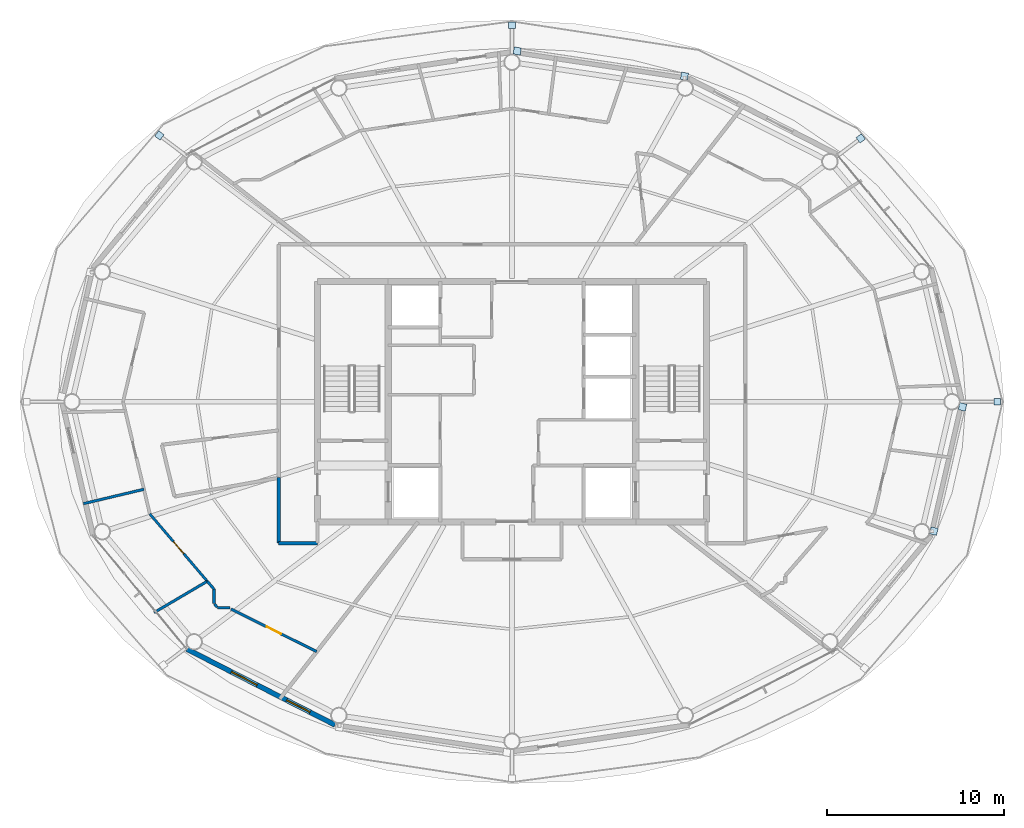
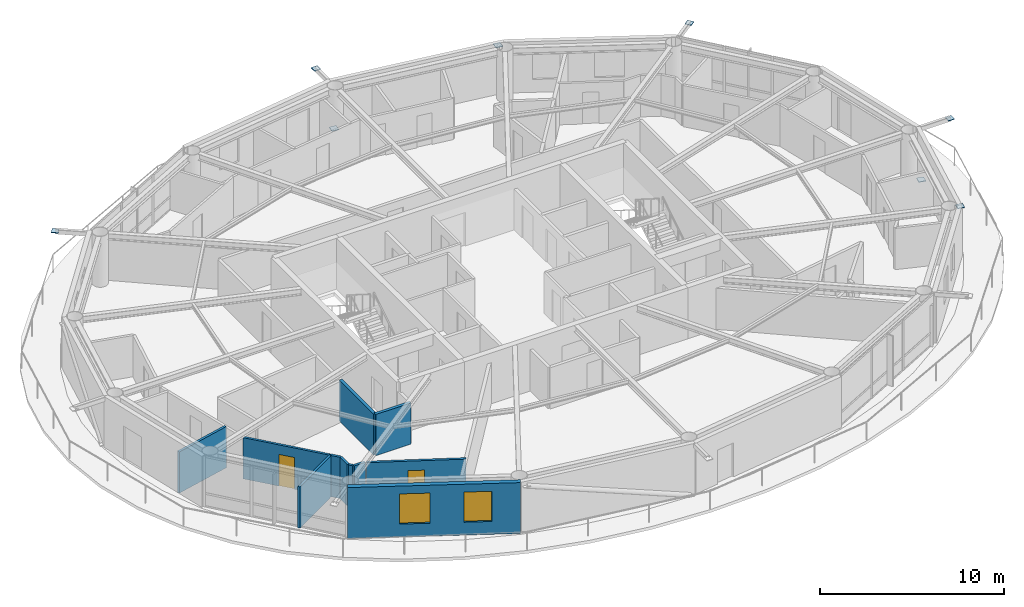
# One storey, part 15 of 22: 11 walls, 8 plates, 2 doors, 2 windows, 4 openings.
"""IFC4 building model written with IfcOpenShell, lengths in metres."""

from ifc_helpers import new_model, si_unit, direction, frame, frame_2d, origin, origin_2d, place, context, subcontext, project, spatial, rectangle, extrude, material, layer, layer_set, type_object, element, fill, save


model = new_model("IFC4")

# Units and contexts
model_context = context("Model", 3, precision=1e-05, world=origin(), true_north=direction((0.0, 1.0)))
body_context = subcontext(model_context, "Body", "Model", "MODEL_VIEW")
ifc_project = project(units=[si_unit("LENGTHUNIT", "METRE"), si_unit("AREAUNIT", "SQUARE_METRE"), si_unit("VOLUMEUNIT", "CUBIC_METRE"), si_unit("PLANEANGLEUNIT", "RADIAN"), si_unit("MASSUNIT", "GRAM", prefix="KILO")], contexts=[model_context])

# Site, building, storey
site_placement = place(None, origin())
site = spatial("IfcSite", under=ifc_project, at=site_placement, CompositionType="ELEMENT")
building_placement = place(site_placement, origin())
building = spatial("IfcBuilding", under=site, at=building_placement, Name="Sarneth Arch Tower", CompositionType="ELEMENT")
storey_placement = place(building_placement, frame((0.0, 0.0, 305.39990234375)))
storey = spatial("IfcBuildingStorey", under=building, at=storey_placement, Name="L79", CompositionType="ELEMENT", Elevation=305.39990234375)

# Plates
ifc_material_1 = material(Name="Steel S355", Category="steel")
ifc_layer_1 = layer(ifc_material_1, 0.035888671875)
ifc_layer_set_1 = layer_set([ifc_layer_1], Name="Steel S355")
plate_type = type_object("IfcPlateType", Name="PLT-GUSSET-30", PredefinedType="SHEET", material=ifc_layer_set_1)
for number, where, z_axis, x_axis, name in (
    (1, (75.4462890625, 42.0, 3.1923828125), (0.0, 0.0, 1.0), (1.0, 0.0, 0.0), "Steel end cap plate GP-1"),
    (2, (67.720703125, 56.894775390625, 3.1923828125), (0.0, 0.0, 1.0), (0.798004853043, 0.602651022168, 0.0), "Steel end cap plate GP-1"),
):
    element("IfcPlate", number, at=place(storey_placement, frame(where, z_axis=z_axis, x_axis=x_axis)), inside=storey, type_object=plate_type, Name=name, PredefinedType="SHEET", context=body_context, shape_type="SweptSolid", body=[
        extrude(rectangle(XDim=0.3798828125, YDim=0.3798828125, at=origin_2d()), origin(), (0.0, 0.0, 1.0), 0.035888671875),
    ])
for number, where, z_axis, x_axis, name in (
    (3, (48.296630859375, 61.83544921875, 0.001953125), (0.0, 0.0, 1.0), (-0.988860535448, 0.148845024885, 0.0), "Steel end cap plate GP-1"),
    (4, (57.754150390625, 60.411376953125, 3.07421875), (0.0, 0.0, 1.0), (-0.988860535448, 0.148845024885, 0.0), "Steel end cap plate GP-1"),
):
    element("IfcPlate", number, at=place(storey_placement, frame(where, z_axis=z_axis, x_axis=x_axis)), inside=storey, type_object=plate_type, Name=name, PredefinedType="SHEET", context=body_context, shape_type="SweptSolid", body=[
        extrude(rectangle(XDim=0.404052734375, YDim=0.404052734375, at=origin_2d()), origin(), (0.0, 0.0, 1.0), 0.035888671875),
    ])
for number, where, z_axis, x_axis, name in (
    (5, (48.0, 63.286865234375, 3.1923828125), (0.0, 0.0, 1.0), (0.0, 1.0, 0.0), "Steel end cap plate GP-1"),
    (6, (28.059814453125, 57.060546875, 3.1923828125), (0.0, 0.0, 1.0), (-0.798004853043, 0.602651022168, 0.0), "Steel end cap plate GP-1"),
):
    element("IfcPlate", number, at=place(storey_placement, frame(where, z_axis=z_axis, x_axis=x_axis)), inside=storey, type_object=plate_type, Name=name, PredefinedType="SHEET", context=body_context, shape_type="SweptSolid", body=[
        extrude(rectangle(XDim=0.3798828125, YDim=0.3798828125, at=origin_2d()), origin(), (0.0, 0.0, 1.0), 0.035888671875),
    ])
for number, where, z_axis, x_axis, name in (
    (7, (73.4765625, 41.707763671875, 0.001953125), (0.0, 0.0, 1.0), (0.225461202458, 0.974252147129, 0.0), "Steel end cap plate GP-1"),
    (8, (71.851806640625, 34.6845703125, 3.07421875), (0.0, 0.0, 1.0), (0.225461202458, 0.974252147129, 0.0), "Steel end cap plate GP-1"),
):
    element("IfcPlate", number, at=place(storey_placement, frame(where, z_axis=z_axis, x_axis=x_axis)), inside=storey, type_object=plate_type, Name=name, PredefinedType="SHEET", context=body_context, shape_type="SweptSolid", body=[
        extrude(rectangle(XDim=0.404052734375, YDim=0.404052734375, at=origin_2d()), origin(), (0.0, 0.0, 1.0), 0.035888671875),
    ])

# Walls
ifc_material_2 = material(Name="Double steel-stud corridor fire wall", Category="steel")
ifc_layer_2 = layer(ifc_material_2, 0.18994140625)
ifc_layer_set_2 = layer_set([ifc_layer_2], Name="Double steel-stud corridor fire wall")
wall_type_1 = type_object("IfcWallType", Name="WALL-CORR-190", PredefinedType="PARTITIONING", material=ifc_layer_set_2)
wall_1_placement = place(storey_placement, frame((34.800048828125, 34.0, 0.0), z_axis=(0.0, 0.0, 1.0), x_axis=(0.0, 1.0, 0.0)))
element("IfcWall", 9, at=wall_1_placement, inside=storey, type_object=wall_type_1, Name="L79 Interior partition W-L79-TP-004", PredefinedType="PARTITIONING", context=body_context, shape_type="SweptSolid", body=[
    extrude(rectangle(XDim=3.728271484375, YDim=0.18994140625, at=frame_2d((1.8642578125, 0.0))), origin(), (0.0, 0.0, 1.0), 2.72998046875),
])
wall_2_placement = place(storey_placement, frame((37.0, 34.0, 0.0), z_axis=(0.0, 0.0, 1.0), x_axis=(-1.0, 0.0, 0.0)))
element("IfcWall", 10, at=wall_2_placement, inside=storey, type_object=wall_type_1, Name="L79 Interior partition W-L79-TP-003", PredefinedType="PARTITIONING", context=body_context, shape_type="SweptSolid", body=[
    extrude(rectangle(XDim=2.199951171875, YDim=0.18994140625, at=frame_2d((1.10009765625, 0.0))), origin(), (0.0, 0.0, 1.0), 2.72998046875),
])

# Wall, openings, windows
ifc_material_3 = material(Name="Extruded terracotta rainscreen on Concrete C40/50 backing", Category="masonry")
ifc_layer_3 = layer(ifc_material_3, 0.280029296875)
ifc_layer_set_3 = layer_set([ifc_layer_3], Name="Extruded terracotta rainscreen on Concrete C40/50 backing")
wall_type_2 = type_object("IfcWallType", Name="WALL-EXT-TERRA-280", PredefinedType="SOLIDWALL", material=ifc_layer_set_3)
wall_3_placement = place(storey_placement, frame((29.617431640625, 28.013427734375, 0.0), z_axis=(0.0, 0.0, 1.0), x_axis=(0.890007394051, -0.455946091699, 0.0)))
wall_3 = element("IfcWall", 11, at=wall_3_placement, inside=storey, type_object=wall_type_2, Name="L79 Terracotta perimeter wall 11", PredefinedType="SOLIDWALL", context=body_context, shape_type="SweptSolid", body=[
    extrude(rectangle(XDim=9.404296875, YDim=0.280029296875, at=frame_2d((4.7021484375, 0.0))), origin(), (0.0, 0.0, 1.0), 3.3701171875),
])
opening_1_placement = place(wall_3_placement, frame((2.8173828125, 0.0, 0.85009765625)))
opening_1 = element("IfcOpeningElement", 12, at=opening_1_placement, cuts=wall_3, Name="Opening W-05", PredefinedType="OPENING", context=body_context, shape_type="SweptSolid", body=[
    extrude(rectangle(XDim=1.64990234375, YDim=2.0, at=frame_2d((0.824951171875, 1.0))), frame((0.0, 0.14990234375, 0.0), z_axis=(0.0, -1.0, 0.0), x_axis=(1.0, 0.0, 0.0)), (0.0, 0.0, 1.0), 0.300048828125),
])
opening_2_placement = place(wall_3_placement, frame((6.333251953125, 0.0, 0.85009765625)))
opening_2 = element("IfcOpeningElement", 13, at=opening_2_placement, cuts=wall_3, Name="Opening W-06", PredefinedType="OPENING", context=body_context, shape_type="SweptSolid", body=[
    extrude(rectangle(XDim=1.5, YDim=2.0, at=frame_2d((0.75, 1.0))), frame((0.0, 0.14990234375, 0.0), z_axis=(0.0, -1.0, 0.0), x_axis=(1.0, 0.0, 0.0)), (0.0, 0.0, 1.0), 0.300048828125),
])
ifc_material_4 = material(Name="Thermally broken Aluminium 6063-T6 and low-e laminated IGU", Category="aluminium")
window_type_1 = type_object("IfcWindowType", Name="WIN-TWR-1500x2000", PartitioningType="SINGLE_PANEL", PredefinedType="WINDOW", material=ifc_material_4)
window_1_placement = place(opening_2_placement, origin())
window_1 = element("IfcWindow", 14, at=window_1_placement, inside=storey, type_object=window_type_1, Name="L79 Exterior window 11B", OverallHeight=2.0, OverallWidth=1.5, PartitioningType="SINGLE_PANEL", PredefinedType="WINDOW", context=body_context, shape_type="SweptSolid", body=[
    extrude(rectangle(XDim=1.5, YDim=2.0, at=frame_2d((0.75, 1.0))), frame((0.0, 0.030029296875, 0.0), z_axis=(0.0, -1.0, 0.0), x_axis=(1.0, 0.0, 0.0)), (0.0, 0.0, 1.0), 0.06005859375),
])
fill(opening_2, window_1)
ifc_material_5 = material(Name="Thermally broken Aluminium 6063-T6 and low-e laminated IGU", Category="aluminium")
window_type_2 = type_object("IfcWindowType", Name="WIN-TWR-1650x2000", PartitioningType="DOUBLE_PANEL_VERTICAL", PredefinedType="WINDOW", material=ifc_material_5)
window_2_placement = place(opening_1_placement, origin())
window_2 = element("IfcWindow", 15, at=window_2_placement, inside=storey, type_object=window_type_2, Name="L79 Exterior window 11A", OverallHeight=2.0, OverallWidth=1.64990234375, PartitioningType="SINGLE_PANEL", PredefinedType="WINDOW", context=body_context, shape_type="SweptSolid", body=[
    extrude(rectangle(XDim=1.64990234375, YDim=2.0, at=frame_2d((0.824951171875, 1.0))), frame((0.0, 0.030029296875, 0.0), z_axis=(0.0, -1.0, 0.0), x_axis=(1.0, 0.0, 0.0)), (0.0, 0.0, 1.0), 0.06005859375),
])
fill(opening_1, window_2)

# Wall, opening, door
ifc_material_6 = material(Name="Apartment internal stud partition", Category="gypsum")
ifc_layer_4 = layer(ifc_material_6, 0.139892578125)
ifc_layer_set_4 = layer_set([ifc_layer_4], Name="Apartment internal stud partition")
wall_type_3 = type_object("IfcWallType", Name="WALL-PART-140", PredefinedType="PARTITIONING", material=ifc_layer_set_4)
wall_4_placement = place(storey_placement, frame((27.51904296875, 35.655029296875, 0.0), z_axis=(0.0, 0.0, 1.0), x_axis=(0.649223146716, -0.760597992219, 0.0)))
wall_4 = element("IfcWall", 16, at=wall_4_placement, inside=storey, type_object=wall_type_3, Name="L79 Interior partition W-L79-TP-046", PredefinedType="PARTITIONING", context=body_context, shape_type="SweptSolid", body=[
    extrude(rectangle(XDim=5.00439453125, YDim=0.139892578125, at=frame_2d((2.502197265625, 0.0))), origin(), (0.0, 0.0, 1.0), 2.72998046875),
])
opening_3_placement = place(wall_4_placement, frame((2.05224609375, 0.0, 0.0)))
opening_3 = element("IfcOpeningElement", 17, at=opening_3_placement, cuts=wall_4, Name="Opening ID-01", PredefinedType="OPENING", context=body_context, shape_type="SweptSolid", body=[
    extrude(rectangle(XDim=0.89990234375, YDim=2.10009765625, at=frame_2d((0.449951171875, 1.050048828125))), frame((0.0, 0.079833984375, 0.0), z_axis=(0.0, -1.0, 0.0), x_axis=(1.0, 0.0, 0.0)), (0.0, 0.0, 1.0), 0.159912109375),
])
ifc_material_7 = material(Name="Engineered hardwood flush door", Category="wood")
door_type = type_object("IfcDoorType", Name="DR-INT-900", OperationType="SINGLE_SWING_LEFT", PredefinedType="DOOR", material=ifc_material_7)
door_1_placement = place(opening_3_placement, origin())
door_1 = element("IfcDoor", 18, at=door_1_placement, inside=storey, type_object=door_type, Name="L79 Interior door DR-L79-U2-BED2", OperationType="SINGLE_SWING_LEFT", OverallHeight=2.10009765625, OverallWidth=0.89990234375, PredefinedType="DOOR", context=body_context, shape_type="SweptSolid", body=[
    extrude(rectangle(XDim=0.89990234375, YDim=2.10009765625, at=frame_2d((0.449951171875, 1.050048828125))), frame((0.0, 0.02490234375, 0.0), z_axis=(0.0, -1.0, 0.0), x_axis=(1.0, 0.0, 0.0)), (0.0, 0.0, 1.0), 0.050048828125),
])
fill(opening_3, door_1)

ifc_material_8 = material(Name="Acoustic gypsum stud partition", Category="gypsum")
ifc_layer_5 = layer(ifc_material_8, 0.14990234375)
ifc_layer_set_5 = layer_set([ifc_layer_5], Name="Acoustic gypsum stud partition")
wall_type_4 = type_object("IfcWallType", Name="WALL-PART-150", PredefinedType="PARTITIONING", material=ifc_layer_set_5)
wall_5_placement = place(storey_placement, frame((32.110107421875, 30.276123046875, 0.0), z_axis=(0.0, 0.0, 1.0), x_axis=(0.895587674753, -0.444885060247, 0.0)))
wall_5 = element("IfcWall", 19, at=wall_5_placement, inside=storey, type_object=wall_type_4, Name="L79 Interior partition W-L79-TP-051", PredefinedType="PARTITIONING", context=body_context, shape_type="SweptSolid", body=[
    extrude(rectangle(XDim=5.41357421875, YDim=0.14990234375, at=frame_2d((2.706787109375, 0.0))), origin(), (0.0, 0.0, 1.0), 2.72998046875),
])
opening_4_placement = place(wall_5_placement, frame((2.2568359375, 0.0, 0.0)))
opening_4 = element("IfcOpeningElement", 20, at=opening_4_placement, cuts=wall_5, Name="Opening ID-01", PredefinedType="OPENING", context=body_context, shape_type="SweptSolid", body=[
    extrude(rectangle(XDim=0.89990234375, YDim=2.10009765625, at=frame_2d((0.449951171875, 1.050048828125))), frame((0.0, 0.0849609375, 0.0), z_axis=(0.0, -1.0, 0.0), x_axis=(1.0, 0.0, 0.0)), (0.0, 0.0, 1.0), 0.169921875),
])
door_2_placement = place(opening_4_placement, origin())
door_2 = element("IfcDoor", 21, at=door_2_placement, inside=storey, type_object=door_type, Name="L79 Interior door DR-L79-U2-BED3", OperationType="SINGLE_SWING_LEFT", OverallHeight=2.10009765625, OverallWidth=0.89990234375, PredefinedType="DOOR", context=body_context, shape_type="SweptSolid", body=[
    extrude(rectangle(XDim=0.89990234375, YDim=2.10009765625, at=frame_2d((0.449951171875, 1.050048828125))), frame((0.0, 0.02490234375, 0.0), z_axis=(0.0, -1.0, 0.0), x_axis=(1.0, 0.0, 0.0)), (0.0, 0.0, 1.0), 0.050048828125),
])
fill(opening_4, door_2)

# Walls
wall_6_placement = place(storey_placement, frame((23.7646484375, 36.23681640625, 0.0), z_axis=(0.0, 0.0, 1.0), x_axis=(0.972875448823, 0.231329550808, 0.0)))
element("IfcWall", 22, at=wall_6_placement, inside=storey, type_object=wall_type_4, Name="L79 Interior partition W-L79-TP-054", PredefinedType="PARTITIONING", context=body_context, shape_type="SweptSolid", body=[
    extrude(rectangle(XDim=3.5166015625, YDim=0.14990234375, at=frame_2d((1.75830078125, 0.0))), origin(), (0.0, 0.0, 1.0), 2.72998046875),
])
wall_7_placement = place(storey_placement, frame((30.76806640625, 31.8486328125, 0.0), z_axis=(0.0, 0.0, 1.0), x_axis=(-0.861632311911, -0.50753301279, 0.0)))
element("IfcWall", 23, at=wall_7_placement, inside=storey, type_object=wall_type_4, Name="L79 Interior partition W-L79-TP-055", PredefinedType="PARTITIONING", context=body_context, shape_type="SweptSolid", body=[
    extrude(rectangle(XDim=3.494140625, YDim=0.14990234375, at=frame_2d((1.7470703125, 0.0))), origin(), (0.0, 0.0, 1.0), 2.72998046875),
])
wall_8_placement = place(storey_placement, frame((31.14990234375, 31.401123046875, 0.0), z_axis=(0.0, 0.0, 1.0), x_axis=(0.0, -1.0, 0.0)))
element("IfcWall", 24, at=wall_8_placement, inside=storey, type_object=wall_type_4, Name="L79 Interior partition W-L79-TP-048", PredefinedType="PARTITIONING", context=body_context, shape_type="SweptSolid", body=[
    extrude(rectangle(XDim=0.8115234375, YDim=0.14990234375, at=frame_2d((0.40576171875, 0.0))), origin(), (0.0, 0.0, 1.0), 2.72998046875),
])
wall_9_placement = place(storey_placement, frame((31.3544921875, 30.35009765625, 0.0), z_axis=(0.0, 0.0, 1.0), x_axis=(1.0, 0.0, 0.0)))
element("IfcWall", 25, at=wall_9_placement, inside=storey, type_object=wall_type_4, Name="L79 Interior partition W-L79-TP-050", PredefinedType="PARTITIONING", context=body_context, shape_type="SweptSolid", body=[
    extrude(rectangle(XDim=0.692626953125, YDim=0.14990234375, at=frame_2d((0.34619140625, 0.0))), origin(), (0.0, 0.0, 1.0), 2.72998046875),
])
wall_10_placement = place(storey_placement, frame((30.76806640625, 31.8486328125, 0.0), z_axis=(0.0, 0.0, 1.0), x_axis=(0.649080846661, -0.760719432181, 0.0)))
element("IfcWall", 26, at=wall_10_placement, inside=storey, type_object=wall_type_4, Name="L79 Interior partition W-L79-TP-047", PredefinedType="PARTITIONING", context=body_context, shape_type="SweptSolid", body=[
    extrude(rectangle(XDim=0.58837890625, YDim=0.14990234375, at=frame_2d((0.294189453125, 0.0))), origin(), (0.0, 0.0, 1.0), 2.72998046875),
])
wall_11_placement = place(storey_placement, frame((31.17333984375, 30.562255859375, 0.0), z_axis=(0.0, 0.0, 1.0), x_axis=(0.648874632887, -0.760895334981, 0.0)))
element("IfcWall", 27, at=wall_11_placement, inside=storey, type_object=wall_type_4, Name="L79 Interior partition W-L79-TP-049", PredefinedType="PARTITIONING", context=body_context, shape_type="SweptSolid", body=[
    extrude(rectangle(XDim=0.23095703125, YDim=0.14990234375, at=frame_2d((0.115478515625, 0.0))), origin(), (0.0, 0.0, 1.0), 2.72998046875),
])

save(model, "model.ifc")
